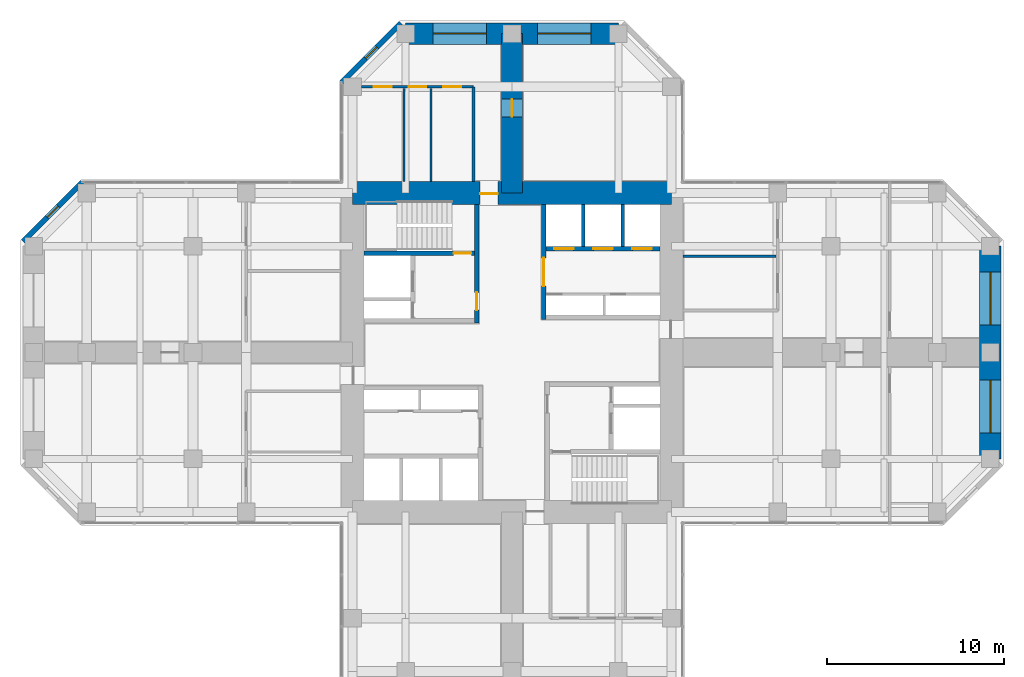
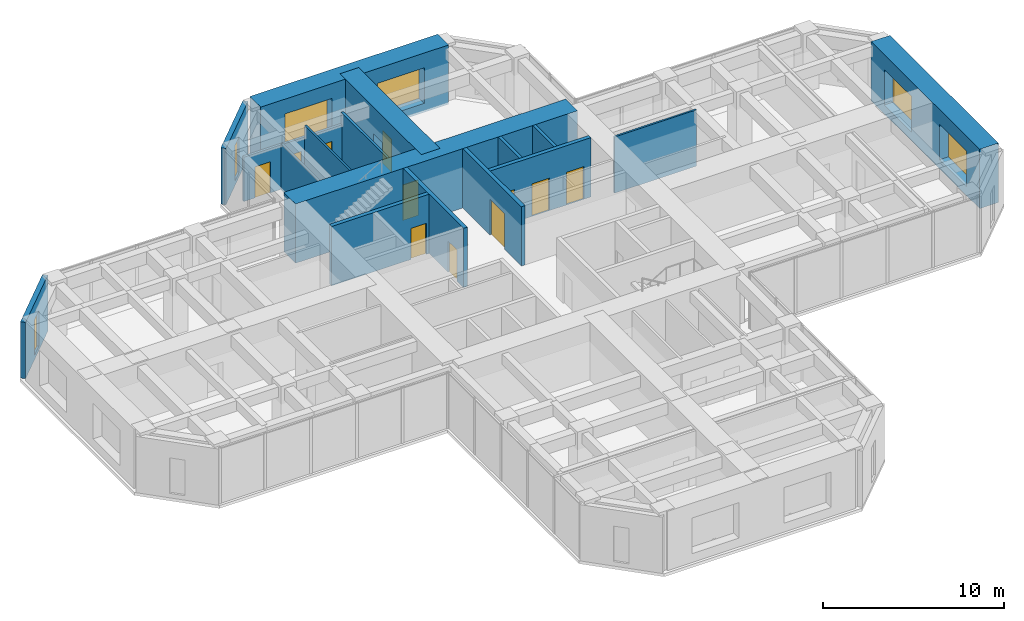
# One storey, part 10 of 12: 17 walls, 11 doors, 6 windows, 17 openings.
"""IFC4 building model written with IfcOpenShell, lengths in metres."""

import ifcopenshell
import ifcopenshell.guid

model = None  # the IFC model being written
_history = None  # IfcOwnerHistory: only IFC2X3 demands one
_inside = {}  # id of a spatial element -> (the spatial element, [elements in it])
_under = {}  # id of a project, library or spatial element -> (it, [spatial elements below it])
_declared = {}  # id of a project -> (the project, [libraries it declares])
_typed = {}  # id of a type object -> (the type object, [elements of that type])
_made_of = {}  # id of a material, layer set ... -> (it, [elements and type objects made of it])


def new_model(schema):
    """Start an empty IFC model of exactly this schema.

    Asked for "IFC4X3", IfcOpenShell would pick the latest addendum, in which some entities
    have other attributes; the version numbers below select the first issue.
    IFC2X3 requires an IfcOwnerHistory on every rooted entity: one is made here for all.
    """
    global model, _history
    if schema == "IFC4X3":
        model = ifcopenshell.file(schema_version=(4, 3, 0, 0))
    else:
        model = ifcopenshell.file(schema=schema)
    _inside.clear()
    _under.clear()
    _declared.clear()
    _typed.clear()
    _made_of.clear()
    _history = None
    if model.schema == "IFC2X3":
        org = make("IfcOrganization", Name="unknown")
        user = make(
            "IfcPersonAndOrganization",
            ThePerson=make("IfcPerson", FamilyName="unknown"),
            TheOrganization=org,
        )
        app = make(
            "IfcApplication",
            ApplicationDeveloper=org,
            Version="unknown",
            ApplicationFullName="unknown",
            ApplicationIdentifier="unknown",
        )
        _history = make(
            "IfcOwnerHistory",
            OwningUser=user,
            OwningApplication=app,
            ChangeAction="ADDED",
            CreationDate=0,
        )
    return model


def make(cls, **values):
    """One entity of the class cls with the attributes given. An attribute that is None is left unset."""
    return model.create_entity(
        cls, **{name: value for name, value in values.items() if value is not None}
    )


def rooted(cls, **values):
    """An entity with a GlobalId (a new one), such as an element, a storey or a relation."""
    return make(cls, GlobalId=ifcopenshell.guid.new(), OwnerHistory=_history, **values)


def si_unit(unit_type, name, prefix=None):
    """IfcSIUnit, for example si_unit("LENGTHUNIT", "METRE", prefix="MILLI")."""
    return make("IfcSIUnit", UnitType=unit_type, Prefix=prefix, Name=name)


def assignment(units):
    """IfcUnitAssignment: the units of a project."""
    return None if units is None else make("IfcUnitAssignment", Units=units)


def point(xyz):
    """IfcCartesianPoint."""
    return None if xyz is None else make("IfcCartesianPoint", Coordinates=xyz)


def direction(xyz):
    """IfcDirection."""
    return None if xyz is None else make("IfcDirection", DirectionRatios=xyz)


def frame(location, z_axis=None, x_axis=None):
    """IfcAxis2Placement3D, a coordinate frame: its origin and axes. An axis left out is left unset."""
    return make(
        "IfcAxis2Placement3D",
        Location=point(location),
        Axis=direction(z_axis),
        RefDirection=direction(x_axis),
    )


def frame_2d(location, x_axis=None):
    """IfcAxis2Placement2D, a coordinate frame in the plane: its origin and x axis."""
    return make(
        "IfcAxis2Placement2D", Location=point(location), RefDirection=direction(x_axis)
    )


def origin():
    """The frame at (0, 0, 0) with its axes left unset."""
    return frame((0.0, 0.0, 0.0))


def place(relative_to, where):
    """IfcLocalPlacement: puts the frame where relative to a parent placement (None: the world)."""
    return make(
        "IfcLocalPlacement", PlacementRelTo=relative_to, RelativePlacement=where
    )


def context(
    kind, dimensions, precision=None, world=None, true_north=None, identifier=None
):
    """IfcGeometricRepresentationContext, for example the 3D "Model" context."""
    return make(
        "IfcGeometricRepresentationContext",
        ContextIdentifier=identifier,
        ContextType=kind,
        CoordinateSpaceDimension=dimensions,
        Precision=precision,
        WorldCoordinateSystem=world,
        TrueNorth=true_north,
    )


def subcontext(parent, identifier, kind, view, scale=None):
    """IfcGeometricRepresentationSubContext, for example "Body" below "Model"."""
    return make(
        "IfcGeometricRepresentationSubContext",
        ContextIdentifier=identifier,
        ContextType=kind,
        ParentContext=parent,
        TargetScale=scale,
        TargetView=view,
    )


def project(units=None, contexts=None):
    """IfcProject with its units and contexts."""
    return rooted(
        "IfcProject",
        Name="project",
        RepresentationContexts=contexts,
        UnitsInContext=assignment(units),
    )


def spatial(cls, under=None, at=None, **own):
    """A site, building, storey or space (cls), placed at a placement, below another one or the project."""
    s = rooted(cls, ObjectPlacement=at, **own)
    if under is not None:
        _under.setdefault(under.id(), (under, []))[1].append(s)
    return s


def profile(cls, at=None, kind="AREA", **sizes):
    """A parametric profile (cls). Its sizes go by their IFC names, for example OverallWidth=200.0."""
    return make(cls, ProfileType=kind, Position=at, **sizes)


def rectangle(**sizes):
    """IfcRectangleProfileDef."""
    return profile("IfcRectangleProfileDef", **sizes)


def hollow_rectangle(**sizes):
    """IfcRectangleHollowProfileDef."""
    return profile("IfcRectangleHollowProfileDef", **sizes)


def extrude(swept, where, along, depth):
    """IfcExtrudedAreaSolid: the profile swept, set in the frame where, extruded along a direction by depth."""
    return make(
        "IfcExtrudedAreaSolid",
        SweptArea=swept,
        Position=where,
        ExtrudedDirection=direction(along),
        Depth=depth,
    )


def shape(context_of_items, identifier, shape_type, items):
    """IfcShapeRepresentation: the items that make up one representation, for example the "Body"."""
    return make(
        "IfcShapeRepresentation",
        ContextOfItems=context_of_items,
        RepresentationIdentifier=identifier,
        RepresentationType=shape_type,
        Items=items,
    )


def material(Name=None, Category=None):
    """IfcMaterial."""
    return make("IfcMaterial", Name=Name, Category=Category)


def layer(
    of_material, thickness, ventilated=None, Name=None, Category=None, Priority=None
):
    """IfcMaterialLayer: one layer of a wall or slab, of a material (None: an air gap)."""
    return make(
        "IfcMaterialLayer",
        Material=of_material,
        LayerThickness=thickness,
        IsVentilated=ventilated,
        Name=Name,
        Category=Category,
        Priority=Priority,
    )


def layer_set(layers, Name=None):
    """IfcMaterialLayerSet."""
    return make("IfcMaterialLayerSet", MaterialLayers=layers, LayerSetName=Name)


def constituent(of_material, Name=None, Category=None, fraction=None):
    """IfcMaterialConstituent: one of the materials an element consists of."""
    return make(
        "IfcMaterialConstituent",
        Name=Name,
        Material=of_material,
        Fraction=fraction,
        Category=Category,
    )


def constituent_set(constituents=None, Name=None):
    """IfcMaterialConstituentSet."""
    return make(
        "IfcMaterialConstituentSet", Name=Name, MaterialConstituents=constituents
    )


def made_of(thing, what):
    """Note that an element or type object is made of a material, layer set ...; save() writes the relation."""
    if what is not None:
        _made_of.setdefault(what.id(), (what, []))[1].append(thing)
    return thing


def type_object(cls, material=None, **own):
    """A type object (cls), such as IfcWallType, which elements share."""
    return made_of(rooted(cls, **own), material)


def element(
    cls,
    number,
    at=None,
    inside=None,
    cuts=None,
    type_object=None,
    material=None,
    context=None,
    identifier="Body",
    shape_type=None,
    held_by="IfcProductDefinitionShape",
    body=None,
    shapes=None,
    **own,
):
    """One element of the class cls, such as IfcWall. Its Tag is "e" and its number.

    at: its placement. inside: the storey or other place that contains it. cuts: it is an
    opening in that element (IfcRelVoidsElement). A single representation is given by context,
    identifier, shape_type and body (its items); several are given by shapes. held_by: the class
    of the entity that holds the representations. save() writes the other relations.
    """
    e = rooted(cls, Tag="e%d" % number, ObjectPlacement=at, **own)
    if body is not None:
        shapes = [shape(context, identifier, shape_type, body)]
    if shapes is not None:
        e.Representation = make(held_by, Representations=shapes)
    if inside is not None:
        _inside.setdefault(inside.id(), (inside, []))[1].append(e)
    if cuts is not None:
        rooted(
            "IfcRelVoidsElement", RelatingBuildingElement=cuts, RelatedOpeningElement=e
        )
    if type_object is not None:
        _typed.setdefault(type_object.id(), (type_object, []))[1].append(e)
    return made_of(e, material)


def fill(opening, filler):
    """IfcRelFillsElement: the door or window that sits in an opening."""
    return rooted(
        "IfcRelFillsElement",
        RelatingOpeningElement=opening,
        RelatedBuildingElement=filler,
    )


def aggregate(whole, parts):
    """IfcRelAggregates: a whole, such as a stair, and the parts it consists of."""
    return rooted("IfcRelAggregates", RelatingObject=whole, RelatedObjects=parts)


def save(model, path):
    """Write the relations noted so far, then the file.

    IfcRelAggregates (storeys below a building ...), IfcRelContainedInSpatialStructure (elements
    in a storey), IfcRelDefinesByType, IfcRelAssociatesMaterial and IfcRelDeclares: one each for
    every whole, place, type object, material and project.
    """
    for whole, parts in _under.values():
        aggregate(whole, parts)
    for where, things in _inside.values():
        rooted(
            "IfcRelContainedInSpatialStructure",
            RelatedElements=things,
            RelatingStructure=where,
        )
    for kind, things in _typed.values():
        rooted("IfcRelDefinesByType", RelatedObjects=things, RelatingType=kind)
    for what, things in _made_of.values():
        rooted("IfcRelAssociatesMaterial", RelatedObjects=things, RelatingMaterial=what)
    for by, libraries in _declared.values():
        rooted("IfcRelDeclares", RelatingContext=by, RelatedDefinitions=libraries)
    model.write(path)


model = new_model("IFC4")

# Units and contexts
model_context = context("Model", 3, precision=1e-05, world=origin(), true_north=direction((0.0, 1.0)))
body_context = subcontext(model_context, "Body", "Model", "MODEL_VIEW")
ifc_project = project(units=[si_unit("LENGTHUNIT", "METRE"), si_unit("AREAUNIT", "SQUARE_METRE"), si_unit("VOLUMEUNIT", "CUBIC_METRE"), si_unit("PLANEANGLEUNIT", "RADIAN"), si_unit("MASSUNIT", "GRAM", prefix="KILO")], contexts=[model_context])

# Site, building, storey
site_placement = place(None, origin())
site = spatial("IfcSite", under=ifc_project, at=site_placement, CompositionType="ELEMENT")
building_placement = place(site_placement, origin())
building = spatial("IfcBuilding", under=site, at=building_placement, Name="Torre Cruceta", CompositionType="ELEMENT")
storey_placement = place(building_placement, frame((0.0, 0.0, 144.5)))
storey = spatial("IfcBuildingStorey", under=building, at=storey_placement, Name="L35", CompositionType="ELEMENT", Elevation=144.5)

# Wall, opening, door
ifc_material_1 = material(Name="Concrete G60 (fck 60 MPa)", Category="concrete")
ifc_layer_1 = layer(ifc_material_1, 0.25)
ifc_layer_set_1 = layer_set([ifc_layer_1], Name="Concrete G60 (fck 60 MPa)")
wall_type_1 = type_object("IfcWallType", Name="CORE INNER WALL 250 G60", PredefinedType="SHEAR", material=ifc_layer_set_1)
wall_1_placement = place(storey_placement, frame((1.800048828125, 1.875, 0.0), z_axis=(0.0, 0.0, 1.0), x_axis=(0.0, 1.0, 0.0)))
wall_1 = element("IfcWall", 1, at=wall_1_placement, inside=storey, type_object=wall_type_1, Name="CW4 L35 NE-CU", PredefinedType="SHEAR", context=body_context, shape_type="SweptSolid", body=[
    extrude(rectangle(XDim=6.47509765625, YDim=0.25, at=frame_2d((3.237548828125, 0.0))), origin(), (0.0, 0.0, 1.0), 4.0),
])
opening_1_placement = place(wall_1_placement, frame((1.875, 0.0, 0.0)))
opening_1 = element("IfcOpeningElement", 2, at=opening_1_placement, cuts=wall_1, Name="Opening D8", PredefinedType="OPENING", context=body_context, shape_type="SweptSolid", body=[
    extrude(rectangle(XDim=1.60009765625, YDim=2.39990234375, at=frame_2d((0.800048828125, 1.199951171875))), frame((0.0, 0.135009765625, 0.0), z_axis=(0.0, -1.0, 0.0), x_axis=(1.0, 0.0, 0.0)), (0.0, 0.0, 1.0), 0.27001953125),
])
ifc_material_2 = material(Name="Steel DX51D", Category="steel")
ifc_constituent_1 = constituent(ifc_material_2, Name="Leaf and frame")
ifc_material_3 = material(Name="Polyester powder coating", Category="paint")
ifc_constituent_2 = constituent(ifc_material_3, Name="Finish")
ifc_material_4 = material(Name="Fire-resisting glass", Category="glass")
ifc_constituent_3 = constituent(ifc_material_4, Name="Vision panel")
ifc_constituent_set_1 = constituent_set(constituents=[ifc_constituent_1, ifc_constituent_2, ifc_constituent_3], Name="Steel fire door with vision panels")
door_type_1 = type_object("IfcDoorType", Name="LIFT LOBBY DOUBLE DOOR 1600X2400", OperationType="DOUBLE_DOOR_DOUBLE_SWING", PredefinedType="DOOR", material=ifc_constituent_set_1)
door_1_placement = place(opening_1_placement, origin())
door_1 = element("IfcDoor", 3, at=door_1_placement, inside=storey, type_object=door_type_1, Name="D8 L35 NE-LOBBY", OperationType="DOUBLE_DOOR_DOUBLE_SWING", OverallHeight=2.39990234375, OverallWidth=1.60009765625, PredefinedType="DOOR", context=body_context, shape_type="SweptSolid", body=[
    extrude(rectangle(XDim=1.60009765625, YDim=2.39990234375, at=frame_2d((0.800048828125, 1.199951171875))), frame((0.0, 0.02490234375, 0.0), z_axis=(0.0, -1.0, 0.0), x_axis=(1.0, 0.0, 0.0)), (0.0, 0.0, 1.0), 0.050048828125),
])
fill(opening_1, door_1)

# Wall, openings, doors
wall_2_placement = place(storey_placement, frame((1.925048828125, 5.85009765625, 0.0), z_axis=(0.0, 0.0, 1.0), x_axis=(1.0, 0.0, 0.0)))
wall_2 = element("IfcWall", 4, at=wall_2_placement, inside=storey, type_object=wall_type_1, Name="CW4 L35 NE-LV", PredefinedType="SHEAR", context=body_context, shape_type="SweptSolid", body=[
    extrude(rectangle(XDim=6.425048828125, YDim=0.25, at=frame_2d((3.21240234375, 0.0))), origin(), (0.0, 0.0, 1.0), 4.0),
])
opening_2_placement = place(wall_2_placement, frame((0.4541015625, 0.0, 0.0)))
opening_2 = element("IfcOpeningElement", 5, at=opening_2_placement, cuts=wall_2, Name="Opening LD1", PredefinedType="OPENING", context=body_context, shape_type="SweptSolid", body=[
    extrude(rectangle(XDim=1.10009765625, YDim=2.199951171875, at=frame_2d((0.550048828125, 1.10009765625))), frame((0.0, 0.135009765625, 0.0), z_axis=(0.0, -1.0, 0.0), x_axis=(1.0, 0.0, 0.0)), (0.0, 0.0, 1.0), 0.27001953125),
])
opening_3_placement = place(wall_2_placement, frame((2.66259765625, 0.0, 0.0)))
opening_3 = element("IfcOpeningElement", 6, at=opening_3_placement, cuts=wall_2, Name="Opening LD1", PredefinedType="OPENING", context=body_context, shape_type="SweptSolid", body=[
    extrude(rectangle(XDim=1.10009765625, YDim=2.199951171875, at=frame_2d((0.550048828125, 1.10009765625))), frame((0.0, 0.135009765625, 0.0), z_axis=(0.0, -1.0, 0.0), x_axis=(1.0, 0.0, 0.0)), (0.0, 0.0, 1.0), 0.27001953125),
])
opening_4_placement = place(wall_2_placement, frame((4.870849609375, 0.0, 0.0)))
opening_4 = element("IfcOpeningElement", 7, at=opening_4_placement, cuts=wall_2, Name="Opening LD1", PredefinedType="OPENING", context=body_context, shape_type="SweptSolid", body=[
    extrude(rectangle(XDim=1.10009765625, YDim=2.199951171875, at=frame_2d((0.550048828125, 1.10009765625))), frame((0.0, 0.135009765625, 0.0), z_axis=(0.0, -1.0, 0.0), x_axis=(1.0, 0.0, 0.0)), (0.0, 0.0, 1.0), 0.27001953125),
])
ifc_material_5 = material(Name="Stainless steel 1.4401", Category="steel")
door_type_2 = type_object("IfcDoorType", Name="LIFT LANDING DOOR 1100X2200", OperationType="DOUBLE_DOOR_SLIDING", PredefinedType="DOOR", material=ifc_material_5)
door_2_placement = place(opening_2_placement, origin())
door_2 = element("IfcDoor", 8, at=door_2_placement, inside=storey, type_object=door_type_2, Name="Lift landing door P1", OperationType="DOUBLE_DOOR_SLIDING", OverallHeight=2.199951171875, OverallWidth=1.10009765625, PredefinedType="DOOR", context=body_context, shape_type="SweptSolid", body=[
    extrude(rectangle(XDim=1.10009765625, YDim=2.199951171875, at=frame_2d((0.550048828125, 1.10009765625))), frame((0.0, 0.02490234375, 0.0), z_axis=(0.0, -1.0, 0.0), x_axis=(1.0, 0.0, 0.0)), (0.0, 0.0, 1.0), 0.050048828125),
])
fill(opening_2, door_2)
door_3_placement = place(opening_3_placement, origin())
door_3 = element("IfcDoor", 9, at=door_3_placement, inside=storey, type_object=door_type_2, Name="Lift landing door P2", OperationType="DOUBLE_DOOR_SLIDING", OverallHeight=2.199951171875, OverallWidth=1.10009765625, PredefinedType="DOOR", context=body_context, shape_type="SweptSolid", body=[
    extrude(rectangle(XDim=1.10009765625, YDim=2.199951171875, at=frame_2d((0.550048828125, 1.10009765625))), frame((0.0, 0.02490234375, 0.0), z_axis=(0.0, -1.0, 0.0), x_axis=(1.0, 0.0, 0.0)), (0.0, 0.0, 1.0), 0.050048828125),
])
fill(opening_3, door_3)
door_4_placement = place(opening_4_placement, origin())
door_4 = element("IfcDoor", 10, at=door_4_placement, inside=storey, type_object=door_type_2, Name="Lift landing door P3", OperationType="DOUBLE_DOOR_SLIDING", OverallHeight=2.199951171875, OverallWidth=1.10009765625, PredefinedType="DOOR", context=body_context, shape_type="SweptSolid", body=[
    extrude(rectangle(XDim=1.10009765625, YDim=2.199951171875, at=frame_2d((0.550048828125, 1.10009765625))), frame((0.0, 0.02490234375, 0.0), z_axis=(0.0, -1.0, 0.0), x_axis=(1.0, 0.0, 0.0)), (0.0, 0.0, 1.0), 0.050048828125),
])
fill(opening_4, door_4)

# Wall, opening, door
wall_3_placement = place(storey_placement, frame((-2.0, 1.675048828125, 0.0), z_axis=(0.0, 0.0, 1.0), x_axis=(0.0, 1.0, 0.0)))
wall_3 = element("IfcWall", 11, at=wall_3_placement, inside=storey, type_object=wall_type_1, Name="CW4 L35 NW-CU", PredefinedType="SHEAR", context=body_context, shape_type="SweptSolid", body=[
    extrude(rectangle(XDim=6.675048828125, YDim=0.25, at=frame_2d((3.33740234375, 0.0))), origin(), (0.0, 0.0, 1.0), 4.0),
])
opening_5_placement = place(wall_3_placement, frame((0.72509765625, 0.0, 0.0)))
opening_5 = element("IfcOpeningElement", 12, at=opening_5_placement, cuts=wall_3, Name="Opening D3", PredefinedType="OPENING", context=body_context, shape_type="SweptSolid", body=[
    extrude(rectangle(XDim=1.0, YDim=2.10009765625, at=frame_2d((0.5, 1.050048828125))), frame((0.0, 0.135009765625, 0.0), z_axis=(0.0, -1.0, 0.0), x_axis=(1.0, 0.0, 0.0)), (0.0, 0.0, 1.0), 0.27001953125),
])
ifc_material_6 = material(Name="Steel DX51D", Category="steel")
ifc_constituent_4 = constituent(ifc_material_6, Name="Leaf and frame")
ifc_material_7 = material(Name="Polyester powder coating", Category="paint")
ifc_constituent_5 = constituent(ifc_material_7, Name="Finish")
ifc_constituent_set_2 = constituent_set(constituents=[ifc_constituent_4, ifc_constituent_5], Name="Steel fire door")
door_type_3 = type_object("IfcDoorType", Name="FIRE DOOR 1000X2100", OperationType="SINGLE_SWING_LEFT", PredefinedType="DOOR", material=ifc_constituent_set_2)
door_5_placement = place(opening_5_placement, origin())
door_5 = element("IfcDoor", 13, at=door_5_placement, inside=storey, type_object=door_type_3, Name="D3 L35 NW-LOBBY", OperationType="SINGLE_SWING_LEFT", OverallHeight=2.10009765625, OverallWidth=1.0, PredefinedType="DOOR", context=body_context, shape_type="SweptSolid", body=[
    extrude(rectangle(XDim=1.0, YDim=2.10009765625, at=frame_2d((0.5, 1.050048828125))), frame((0.0, 0.02490234375, 0.0), z_axis=(0.0, -1.0, 0.0), x_axis=(1.0, 0.0, 0.0)), (0.0, 0.0, 1.0), 0.050048828125),
])
fill(opening_5, door_5)

wall_4_placement = place(storey_placement, frame((-2.125, 5.60009765625, 0.0), z_axis=(0.0, 0.0, 1.0), x_axis=(-1.0, 0.0, 0.0)))
wall_4 = element("IfcWall", 14, at=wall_4_placement, inside=storey, type_object=wall_type_1, Name="CW4 L35 NW-SV", PredefinedType="SHEAR", context=body_context, shape_type="SweptSolid", body=[
    extrude(rectangle(XDim=6.22509765625, YDim=0.25, at=frame_2d((3.112548828125, 0.0))), origin(), (0.0, 0.0, 1.0), 4.0),
])
opening_6_placement = place(wall_4_placement, frame((0.175048828125, 0.0, 0.0)))
opening_6 = element("IfcOpeningElement", 15, at=opening_6_placement, cuts=wall_4, Name="Opening D3", PredefinedType="OPENING", context=body_context, shape_type="SweptSolid", body=[
    extrude(rectangle(XDim=1.0, YDim=2.10009765625, at=frame_2d((0.5, 1.050048828125))), frame((0.0, 0.135009765625, 0.0), z_axis=(0.0, -1.0, 0.0), x_axis=(1.0, 0.0, 0.0)), (0.0, 0.0, 1.0), 0.27001953125),
])
door_6_placement = place(opening_6_placement, frame((1.0, 0.0, 0.0), z_axis=(0.0, 0.0, 1.0), x_axis=(-1.0, 0.0, 0.0)))
door_6 = element("IfcDoor", 16, at=door_6_placement, inside=storey, type_object=door_type_3, Name="D3 L35 NW-STAIR", OperationType="SINGLE_SWING_RIGHT", OverallHeight=2.10009765625, OverallWidth=1.0, PredefinedType="DOOR", context=body_context, shape_type="SweptSolid", body=[
    extrude(rectangle(XDim=1.0, YDim=2.10009765625, at=frame_2d((0.5, 1.050048828125))), frame((0.0, 0.025146484375, 0.0), z_axis=(0.0, -1.0, 0.0), x_axis=(1.0, 0.0, 0.0)), (0.0, 0.0, 1.0), 0.050048828125),
])
fill(opening_6, door_6)

ifc_material_8 = material(Name="Concrete G60 (fck 60 MPa)", Category="concrete")
ifc_layer_2 = layer(ifc_material_8, 1.300048828125)
ifc_layer_set_2 = layer_set([ifc_layer_2], Name="Concrete G60 (fck 60 MPa)")
wall_type_2 = type_object("IfcWallType", Name="CORE WALL 1300 G60", PredefinedType="SHEAR", material=ifc_layer_set_2)
wall_5_placement = place(storey_placement, frame((9.0, 9.0, 0.0), z_axis=(0.0, 0.0, 1.0), x_axis=(-1.0, 0.0, 0.0)))
wall_5 = element("IfcWall", 17, at=wall_5_placement, inside=storey, type_object=wall_type_2, Name="CW1 L35 CW-N", PredefinedType="SHEAR", context=body_context, shape_type="SweptSolid", body=[
    extrude(rectangle(XDim=18.0, YDim=1.300048828125, at=frame_2d((9.0, 0.0))), origin(), (0.0, 0.0, 1.0), 4.0),
])
opening_7_placement = place(wall_5_placement, frame((9.800048828125, 0.0, 0.0)))
opening_7 = element("IfcOpeningElement", 18, at=opening_7_placement, cuts=wall_5, Name="Opening D4", PredefinedType="OPENING", context=body_context, shape_type="SweptSolid", body=[
    extrude(rectangle(XDim=1.0, YDim=2.39990234375, at=frame_2d((0.5, 1.199951171875))), frame((0.0, 0.659912109375, 0.0), z_axis=(0.0, -1.0, 0.0), x_axis=(1.0, 0.0, 0.0)), (0.0, 0.0, 1.0), 1.320068359375),
])
ifc_material_9 = material(Name="Steel DX51D", Category="steel")
ifc_constituent_6 = constituent(ifc_material_9, Name="Leaf and frame")
ifc_material_10 = material(Name="Polyester powder coating", Category="paint")
ifc_constituent_7 = constituent(ifc_material_10, Name="Finish")
ifc_constituent_set_3 = constituent_set(constituents=[ifc_constituent_6, ifc_constituent_7], Name="Steel fire door")
door_type_4 = type_object("IfcDoorType", Name="CORE ARM DOOR 1000X2400", OperationType="SINGLE_SWING_RIGHT", PredefinedType="DOOR", material=ifc_constituent_set_3)
door_7_placement = place(opening_7_placement, frame((1.0, 0.0, 0.0), z_axis=(0.0, 0.0, 1.0), x_axis=(-1.0, 0.0, 0.0)))
door_7 = element("IfcDoor", 19, at=door_7_placement, inside=storey, type_object=door_type_4, Name="D4 L35 CW-N", OperationType="SINGLE_SWING_RIGHT", OverallHeight=2.39990234375, OverallWidth=1.0, PredefinedType="DOOR", context=body_context, shape_type="SweptSolid", body=[
    extrude(rectangle(XDim=1.0, YDim=2.39990234375, at=frame_2d((0.5, 1.199951171875))), frame((0.0, -0.005126953125, 0.0), z_axis=(0.0, -1.0, 0.0), x_axis=(1.0, 0.0, 0.0)), (0.0, 0.0, 1.0), 0.050048828125),
])
fill(opening_7, door_7)

# Wall, opening, window
ifc_material_11 = material(Name="Concrete G30 (fck 30 MPa)", Category="concrete")
ifc_layer_3 = layer(ifc_material_11, 0.300048828125)
ifc_layer_set_3 = layer_set([ifc_layer_3], Name="Concrete G30 (fck 30 MPa)")
wall_type_3 = type_object("IfcWallType", Name="EXPOSED CONCRETE FACADE WALL 300", PredefinedType="SOLIDWALL", material=ifc_layer_set_3)
wall_6_placement = place(storey_placement, frame((-6.27685546875, 18.60009765625, 0.0), z_axis=(0.0, 0.0, 1.0), x_axis=(-0.707106781187, -0.707106781187, 0.0)))
wall_6 = element("IfcWall", 20, at=wall_6_placement, inside=storey, type_object=wall_type_3, Name="EW1 facade wall L35 N chamfer 08", PredefinedType="SOLIDWALL", context=body_context, shape_type="SweptSolid", body=[
    extrude(rectangle(XDim=4.72802734375, YDim=0.300048828125, at=frame_2d((2.364013671875, 0.0))), origin(), (0.0, 0.0, 1.0), 3.800048828125),
])
opening_8_placement = place(wall_6_placement, frame((1.9140625, 0.0, 0.300048828125)))
opening_8 = element("IfcOpeningElement", 21, at=opening_8_placement, cuts=wall_6, Name="Opening WN5", PredefinedType="OPENING", context=body_context, shape_type="SweptSolid", body=[
    extrude(rectangle(XDim=0.89990234375, YDim=2.39990234375, at=frame_2d((0.449951171875, 1.199951171875))), frame((0.0, 0.159912109375, 0.0), z_axis=(0.0, -1.0, 0.0), x_axis=(1.0, 0.0, 0.0)), (0.0, 0.0, 1.0), 0.320068359375),
])
ifc_material_12 = material(Name="Aluminium window frame", Category="aluminium")
ifc_constituent_8 = constituent(ifc_material_12, Name="Frame")
ifc_material_13 = material(Name="Laminated insulating glass unit, low-iron clear", Category="glass")
ifc_constituent_9 = constituent(ifc_material_13, Name="Glazing")
ifc_constituent_set_4 = constituent_set(constituents=[ifc_constituent_8, ifc_constituent_9], Name="Aluminium window")
window_type_1 = type_object("IfcWindowType", Name="CHAMFER SLOT WINDOW 900X2400", PartitioningType="SINGLE_PANEL", PredefinedType="WINDOW", material=ifc_constituent_set_4)
window_1_placement = place(opening_8_placement, origin())
window_1 = element("IfcWindow", 22, at=window_1_placement, inside=storey, type_object=window_type_1, Name="WN5 L35 N 1", OverallHeight=2.39990234375, OverallWidth=0.89990234375, PartitioningType="SINGLE_PANEL", PredefinedType="WINDOW", context=body_context, shape_type="SweptSolid", body=[
    extrude(hollow_rectangle(XDim=0.89990234375, YDim=2.39990234375, WallThickness=0.06005859375, at=frame_2d((0.449951171875, 1.199951171875))), frame((0.0, 0.030029296875, 0.0), z_axis=(0.0, -1.0, 0.0), x_axis=(1.0, 0.0, 0.0)), (0.0, 0.0, 1.0), 0.06005859375),
    extrude(rectangle(XDim=0.77880859375, YDim=2.27880859375, at=frame_2d((0.449951171875, 1.199951171875))), frame((0.0, 0.030029296875, 0.0), z_axis=(0.0, -1.0, 0.0), x_axis=(1.0, 0.0, 0.0)), (0.0, 0.0, 1.0), 0.06005859375),
])
fill(opening_8, window_1)

wall_7_placement = place(storey_placement, frame((-24.2568359375, 9.6201171875, 0.0), z_axis=(0.0, 0.0, 1.0), x_axis=(-0.707106781187, -0.707106781187, 0.0)))
wall_7 = element("IfcWall", 23, at=wall_7_placement, inside=storey, type_object=wall_type_3, Name="EW1 facade wall L35 W chamfer 11", PredefinedType="SOLIDWALL", context=body_context, shape_type="SweptSolid", body=[
    extrude(rectangle(XDim=4.72802734375, YDim=0.300048828125, at=frame_2d((2.364013671875, 0.0))), origin(), (0.0, 0.0, 1.0), 3.800048828125),
])
opening_9_placement = place(wall_7_placement, frame((1.9140625, 0.0, 0.300048828125)))
opening_9 = element("IfcOpeningElement", 24, at=opening_9_placement, cuts=wall_7, Name="Opening WN5", PredefinedType="OPENING", context=body_context, shape_type="SweptSolid", body=[
    extrude(rectangle(XDim=0.89990234375, YDim=2.39990234375, at=frame_2d((0.449951171875, 1.199951171875))), frame((0.0, 0.159912109375, 0.0), z_axis=(0.0, -1.0, 0.0), x_axis=(1.0, 0.0, 0.0)), (0.0, 0.0, 1.0), 0.320068359375),
])
window_2_placement = place(opening_9_placement, origin())
window_2 = element("IfcWindow", 25, at=window_2_placement, inside=storey, type_object=window_type_1, Name="WN5 L35 W 1", OverallHeight=2.39990234375, OverallWidth=0.89990234375, PartitioningType="SINGLE_PANEL", PredefinedType="WINDOW", context=body_context, shape_type="SweptSolid", body=[
    extrude(hollow_rectangle(XDim=0.89990234375, YDim=2.39990234375, WallThickness=0.06005859375, at=frame_2d((0.449951171875, 1.199951171875))), frame((0.0, 0.030029296875, 0.0), z_axis=(0.0, -1.0, 0.0), x_axis=(1.0, 0.0, 0.0)), (0.0, 0.0, 1.0), 0.06005859375),
    extrude(rectangle(XDim=0.77880859375, YDim=2.27880859375, at=frame_2d((0.449951171875, 1.199951171875))), frame((0.0, 0.030029296875, 0.0), z_axis=(0.0, -1.0, 0.0), x_axis=(1.0, 0.0, 0.0)), (0.0, 0.0, 1.0), 0.06005859375),
])
fill(opening_9, window_2)

# Walls
ifc_material_14 = material(Name="Concrete G35 (fck 35 MPa)", Category="concrete")
ifc_layer_4 = layer(ifc_material_14, 0.199951171875)
ifc_layer_set_4 = layer_set([ifc_layer_4], Name="Concrete G35 (fck 35 MPa)")
wall_type_4 = type_object("IfcWallType", Name="LIFT SHAFT WALL 200", PredefinedType="PARTITIONING", material=ifc_layer_set_4)
for number, where, z_axis, x_axis, name in (
    (26, (4.033447265625, 5.97509765625, 0.0), (0.0, 0.0, 1.0), (0.0, 1.0, 0.0), "SW1 L35 NE-LS1"),
    (27, (6.24169921875, 5.97509765625, 0.0), (0.0, 0.0, 1.0), (0.0, 1.0, 0.0), "SW1 L35 NE-LS2"),
):
    element("IfcWall", number, at=place(storey_placement, frame(where, z_axis=z_axis, x_axis=x_axis)), inside=storey, type_object=wall_type_4, Name=name, PredefinedType="PARTITIONING", context=body_context, shape_type="SweptSolid", body=[
        extrude(rectangle(XDim=2.375, YDim=0.199951171875, at=frame_2d((1.1875, 0.0))), origin(), (0.0, 0.0, 1.0), 4.0),
    ])

# Wall, openings, windows
ifc_material_15 = material(Name="Concrete G60 (fck 60 MPa)", Category="concrete")
ifc_layer_5 = layer(ifc_material_15, 1.199951171875)
ifc_layer_set_5 = layer_set([ifc_layer_5], Name="Concrete G60 (fck 60 MPa)")
wall_type_5 = type_object("IfcWallType", Name="NOSE WALL 1200 G60", PredefinedType="SHEAR", material=ifc_layer_set_5)
wall_8_placement = place(storey_placement, frame((6.0, 18.0, 0.0), z_axis=(0.0, 0.0, 1.0), x_axis=(-1.0, 0.0, 0.0)))
wall_8 = element("IfcWall", 28, at=wall_8_placement, inside=storey, type_object=wall_type_5, Name="NW1 nose wall L35 N", PredefinedType="SHEAR", context=body_context, shape_type="SweptSolid", body=[
    extrude(rectangle(XDim=12.0, YDim=1.199951171875, at=frame_2d((6.0, 0.0))), origin(), (0.0, 0.0, 1.0), 4.0),
])
opening_10_placement = place(wall_8_placement, frame((1.550048828125, 0.0, 0.60009765625)))
opening_10 = element("IfcOpeningElement", 29, at=opening_10_placement, cuts=wall_8, Name="Opening WN6", PredefinedType="OPENING", context=body_context, shape_type="SweptSolid", body=[
    extrude(rectangle(XDim=3.0, YDim=2.39990234375, at=frame_2d((1.5, 1.199951171875))), frame((0.0, 0.60986328125, 0.0), z_axis=(0.0, -1.0, 0.0), x_axis=(1.0, 0.0, 0.0)), (0.0, 0.0, 1.0), 1.219970703125),
])
opening_11_placement = place(wall_8_placement, frame((7.449951171875, 0.0, 0.60009765625)))
opening_11 = element("IfcOpeningElement", 30, at=opening_11_placement, cuts=wall_8, Name="Opening WN6", PredefinedType="OPENING", context=body_context, shape_type="SweptSolid", body=[
    extrude(rectangle(XDim=3.0, YDim=2.39990234375, at=frame_2d((1.5, 1.199951171875))), frame((0.0, 0.60986328125, 0.0), z_axis=(0.0, -1.0, 0.0), x_axis=(1.0, 0.0, 0.0)), (0.0, 0.0, 1.0), 1.219970703125),
])
ifc_material_16 = material(Name="Aluminium window frame", Category="aluminium")
ifc_constituent_10 = constituent(ifc_material_16, Name="Frame")
ifc_material_17 = material(Name="Laminated insulating glass unit, low-iron clear", Category="glass")
ifc_constituent_11 = constituent(ifc_material_17, Name="Glazing")
ifc_constituent_set_5 = constituent_set(constituents=[ifc_constituent_10, ifc_constituent_11], Name="Aluminium window")
window_type_2 = type_object("IfcWindowType", Name="NOSE WALL WINDOW 3000X2400", PartitioningType="SINGLE_PANEL", PredefinedType="WINDOW", material=ifc_constituent_set_5)
window_3_placement = place(opening_10_placement, origin())
window_3 = element("IfcWindow", 31, at=window_3_placement, inside=storey, type_object=window_type_2, Name="WN6 L35 N 1", OverallHeight=2.39990234375, OverallWidth=3.0, PartitioningType="SINGLE_PANEL", PredefinedType="WINDOW", context=body_context, shape_type="SweptSolid", body=[
    extrude(hollow_rectangle(XDim=3.0, YDim=2.39990234375, WallThickness=0.06005859375, at=frame_2d((1.5, 1.199951171875))), frame((0.0, 0.030029296875, 0.0), z_axis=(0.0, -1.0, 0.0), x_axis=(1.0, 0.0, 0.0)), (0.0, 0.0, 1.0), 0.06005859375),
    extrude(rectangle(XDim=2.87890625, YDim=2.27880859375, at=frame_2d((1.5, 1.199951171875))), frame((0.0, 0.030029296875, 0.0), z_axis=(0.0, -1.0, 0.0), x_axis=(1.0, 0.0, 0.0)), (0.0, 0.0, 1.0), 0.06005859375),
])
fill(opening_10, window_3)
window_4_placement = place(opening_11_placement, origin())
window_4 = element("IfcWindow", 32, at=window_4_placement, inside=storey, type_object=window_type_2, Name="WN6 L35 N 2", OverallHeight=2.39990234375, OverallWidth=3.0, PartitioningType="SINGLE_PANEL", PredefinedType="WINDOW", context=body_context, shape_type="SweptSolid", body=[
    extrude(hollow_rectangle(XDim=3.0, YDim=2.39990234375, WallThickness=0.06005859375, at=frame_2d((1.5, 1.199951171875))), frame((0.0, 0.030029296875, 0.0), z_axis=(0.0, -1.0, 0.0), x_axis=(1.0, 0.0, 0.0)), (0.0, 0.0, 1.0), 0.06005859375),
    extrude(rectangle(XDim=2.87890625, YDim=2.27880859375, at=frame_2d((1.5, 1.199951171875))), frame((0.0, 0.030029296875, 0.0), z_axis=(0.0, -1.0, 0.0), x_axis=(1.0, 0.0, 0.0)), (0.0, 0.0, 1.0), 0.06005859375),
])
fill(opening_11, window_4)

wall_9_placement = place(storey_placement, frame((27.0, -6.0, 0.0), z_axis=(0.0, 0.0, 1.0), x_axis=(0.0, 1.0, 0.0)))
wall_9 = element("IfcWall", 33, at=wall_9_placement, inside=storey, type_object=wall_type_5, Name="NW1 nose wall L35 E", PredefinedType="SHEAR", context=body_context, shape_type="SweptSolid", body=[
    extrude(rectangle(XDim=12.0, YDim=1.199951171875, at=frame_2d((6.0, 0.0))), origin(), (0.0, 0.0, 1.0), 4.0),
])
opening_12_placement = place(wall_9_placement, frame((1.449951171875, 0.0, 0.60009765625)))
opening_12 = element("IfcOpeningElement", 34, at=opening_12_placement, cuts=wall_9, Name="Opening WN6", PredefinedType="OPENING", context=body_context, shape_type="SweptSolid", body=[
    extrude(rectangle(XDim=3.0, YDim=2.39990234375, at=frame_2d((1.5, 1.199951171875))), frame((0.0, 0.60986328125, 0.0), z_axis=(0.0, -1.0, 0.0), x_axis=(1.0, 0.0, 0.0)), (0.0, 0.0, 1.0), 1.219970703125),
])
opening_13_placement = place(wall_9_placement, frame((7.550048828125, 0.0, 0.60009765625)))
opening_13 = element("IfcOpeningElement", 35, at=opening_13_placement, cuts=wall_9, Name="Opening WN6", PredefinedType="OPENING", context=body_context, shape_type="SweptSolid", body=[
    extrude(rectangle(XDim=3.0, YDim=2.39990234375, at=frame_2d((1.5, 1.199951171875))), frame((0.0, 0.60986328125, 0.0), z_axis=(0.0, -1.0, 0.0), x_axis=(1.0, 0.0, 0.0)), (0.0, 0.0, 1.0), 1.219970703125),
])
window_5_placement = place(opening_12_placement, origin())
window_5 = element("IfcWindow", 36, at=window_5_placement, inside=storey, type_object=window_type_2, Name="WN6 L35 E 1", OverallHeight=2.39990234375, OverallWidth=3.0, PartitioningType="SINGLE_PANEL", PredefinedType="WINDOW", context=body_context, shape_type="SweptSolid", body=[
    extrude(hollow_rectangle(XDim=3.0, YDim=2.39990234375, WallThickness=0.06005859375, at=frame_2d((1.5, 1.199951171875))), frame((0.0, 0.030029296875, 0.0), z_axis=(0.0, -1.0, 0.0), x_axis=(1.0, 0.0, 0.0)), (0.0, 0.0, 1.0), 0.06005859375),
    extrude(rectangle(XDim=2.87890625, YDim=2.27880859375, at=frame_2d((1.5, 1.199951171875))), frame((0.0, 0.030029296875, 0.0), z_axis=(0.0, -1.0, 0.0), x_axis=(1.0, 0.0, 0.0)), (0.0, 0.0, 1.0), 0.06005859375),
])
fill(opening_12, window_5)
window_6_placement = place(opening_13_placement, origin())
window_6 = element("IfcWindow", 37, at=window_6_placement, inside=storey, type_object=window_type_2, Name="WN6 L35 E 2", OverallHeight=2.39990234375, OverallWidth=3.0, PartitioningType="SINGLE_PANEL", PredefinedType="WINDOW", context=body_context, shape_type="SweptSolid", body=[
    extrude(hollow_rectangle(XDim=3.0, YDim=2.39990234375, WallThickness=0.06005859375, at=frame_2d((1.5, 1.199951171875))), frame((0.0, 0.030029296875, 0.0), z_axis=(0.0, -1.0, 0.0), x_axis=(1.0, 0.0, 0.0)), (0.0, 0.0, 1.0), 0.06005859375),
    extrude(rectangle(XDim=2.87890625, YDim=2.27880859375, at=frame_2d((1.5, 1.199951171875))), frame((0.0, 0.030029296875, 0.0), z_axis=(0.0, -1.0, 0.0), x_axis=(1.0, 0.0, 0.0)), (0.0, 0.0, 1.0), 0.06005859375),
])
fill(opening_13, window_6)

# Wall, openings, doors
ifc_material_18 = material(Name="Plasterboard on steel studs", Category="steel")
ifc_layer_6 = layer(ifc_material_18, 0.14990234375)
ifc_layer_set_6 = layer_set([ifc_layer_6], Name="Plasterboard on steel studs")
wall_type_6 = type_object("IfcWallType", Name="PARTITION 150", PredefinedType="PARTITIONING", material=ifc_layer_set_6)
wall_10_placement = place(storey_placement, frame((-2.175048828125, 15.0, 0.0), z_axis=(0.0, 0.0, 1.0), x_axis=(-1.0, 0.0, 0.0)))
wall_10 = element("IfcWall", 38, at=wall_10_placement, inside=storey, type_object=wall_type_6, Name="PT1 L35-N-BFL", PredefinedType="PARTITIONING", context=body_context, shape_type="SweptSolid", body=[
    extrude(rectangle(XDim=6.324951171875, YDim=0.14990234375, at=frame_2d((3.16259765625, 0.0))), origin(), (0.0, 0.0, 1.0), 3.0),
])
opening_14_placement = place(wall_10_placement, frame((0.699951171875, 0.0, 0.0)))
opening_14 = element("IfcOpeningElement", 39, at=opening_14_placement, cuts=wall_10, Name="Opening D3", PredefinedType="OPENING", context=body_context, shape_type="SweptSolid", body=[
    extrude(rectangle(XDim=1.0, YDim=2.10009765625, at=frame_2d((0.5, 1.050048828125))), frame((0.0, 0.0849609375, 0.0), z_axis=(0.0, -1.0, 0.0), x_axis=(1.0, 0.0, 0.0)), (0.0, 0.0, 1.0), 0.169921875),
])
opening_15_placement = place(wall_10_placement, frame((2.66259765625, 0.0, 0.0)))
opening_15 = element("IfcOpeningElement", 40, at=opening_15_placement, cuts=wall_10, Name="Opening D3", PredefinedType="OPENING", context=body_context, shape_type="SweptSolid", body=[
    extrude(rectangle(XDim=1.0, YDim=2.10009765625, at=frame_2d((0.5, 1.050048828125))), frame((0.0, 0.0849609375, 0.0), z_axis=(0.0, -1.0, 0.0), x_axis=(1.0, 0.0, 0.0)), (0.0, 0.0, 1.0), 0.169921875),
])
opening_16_placement = place(wall_10_placement, frame((4.625, 0.0, 0.0)))
opening_16 = element("IfcOpeningElement", 41, at=opening_16_placement, cuts=wall_10, Name="Opening D3", PredefinedType="OPENING", context=body_context, shape_type="SweptSolid", body=[
    extrude(rectangle(XDim=1.0, YDim=2.10009765625, at=frame_2d((0.5, 1.050048828125))), frame((0.0, 0.0849609375, 0.0), z_axis=(0.0, -1.0, 0.0), x_axis=(1.0, 0.0, 0.0)), (0.0, 0.0, 1.0), 0.169921875),
])
door_8_placement = place(opening_14_placement, origin())
door_8 = element("IfcDoor", 42, at=door_8_placement, inside=storey, type_object=door_type_3, Name="D3 L35-N-BFL-D1", OperationType="SINGLE_SWING_LEFT", OverallHeight=2.10009765625, OverallWidth=1.0, PredefinedType="DOOR", context=body_context, shape_type="SweptSolid", body=[
    extrude(rectangle(XDim=1.0, YDim=2.10009765625, at=frame_2d((0.5, 1.050048828125))), frame((0.0, 0.02490234375, 0.0), z_axis=(0.0, -1.0, 0.0), x_axis=(1.0, 0.0, 0.0)), (0.0, 0.0, 1.0), 0.050048828125),
])
fill(opening_14, door_8)
door_9_placement = place(opening_15_placement, origin())
door_9 = element("IfcDoor", 43, at=door_9_placement, inside=storey, type_object=door_type_3, Name="D3 L35-N-BFL-D2", OperationType="SINGLE_SWING_LEFT", OverallHeight=2.10009765625, OverallWidth=1.0, PredefinedType="DOOR", context=body_context, shape_type="SweptSolid", body=[
    extrude(rectangle(XDim=1.0, YDim=2.10009765625, at=frame_2d((0.5, 1.050048828125))), frame((0.0, 0.02490234375, 0.0), z_axis=(0.0, -1.0, 0.0), x_axis=(1.0, 0.0, 0.0)), (0.0, 0.0, 1.0), 0.050048828125),
])
fill(opening_15, door_9)
door_10_placement = place(opening_16_placement, origin())
door_10 = element("IfcDoor", 44, at=door_10_placement, inside=storey, type_object=door_type_3, Name="D3 L35-N-BFL-D3", OperationType="SINGLE_SWING_LEFT", OverallHeight=2.10009765625, OverallWidth=1.0, PredefinedType="DOOR", context=body_context, shape_type="SweptSolid", body=[
    extrude(rectangle(XDim=1.0, YDim=2.10009765625, at=frame_2d((0.5, 1.050048828125))), frame((0.0, 0.02490234375, 0.0), z_axis=(0.0, -1.0, 0.0), x_axis=(1.0, 0.0, 0.0)), (0.0, 0.0, 1.0), 0.050048828125),
])
fill(opening_16, door_10)

# Wall
wall_11_placement = place(storey_placement, frame((-2.175048828125, 9.64990234375, 0.0), z_axis=(0.0, 0.0, 1.0), x_axis=(0.0, 1.0, 0.0)))
element("IfcWall", 45, at=wall_11_placement, inside=storey, type_object=wall_type_6, Name="PT1 L35-N-BSL", PredefinedType="PARTITIONING", context=body_context, shape_type="SweptSolid", body=[
    extrude(rectangle(XDim=5.35009765625, YDim=0.14990234375, at=frame_2d((2.675048828125, 0.0))), origin(), (0.0, 0.0, 1.0), 3.800048828125),
])

# Wall, opening, door
ifc_material_19 = material(Name="Concrete G60 (fck 60 MPa)", Category="concrete")
ifc_layer_7 = layer(ifc_material_19, 1.199951171875)
ifc_layer_set_7 = layer_set([ifc_layer_7], Name="Concrete G60 (fck 60 MPa)")
wall_type_7 = type_object("IfcWallType", Name="SPINE WALL 1200 G60", PredefinedType="SHEAR", material=ifc_layer_set_7)
wall_12_placement = place(storey_placement, frame((0.0, 9.0, 0.0), z_axis=(0.0, 0.0, 1.0), x_axis=(0.0, 1.0, 0.0)))
wall_12 = element("IfcWall", 46, at=wall_12_placement, inside=storey, type_object=wall_type_7, Name="SW3 spine wall L35 N", PredefinedType="SHEAR", context=body_context, shape_type="SweptSolid", body=[
    extrude(rectangle(XDim=9.0, YDim=1.199951171875, at=frame_2d((4.5, 0.0))), origin(), (0.0, 0.0, 1.0), 4.0),
])
opening_17_placement = place(wall_12_placement, frame((4.300048828125, 0.0, 0.0)))
opening_17 = element("IfcOpeningElement", 47, at=opening_17_placement, cuts=wall_12, Name="Opening D14", PredefinedType="OPENING", context=body_context, shape_type="SweptSolid", body=[
    extrude(rectangle(XDim=1.0, YDim=2.199951171875, at=frame_2d((0.5, 1.10009765625))), frame((0.0, 0.60986328125, 0.0), z_axis=(0.0, -1.0, 0.0), x_axis=(1.0, 0.0, 0.0)), (0.0, 0.0, 1.0), 1.219970703125),
])
ifc_material_20 = material(Name="Steel DX51D", Category="steel")
ifc_constituent_12 = constituent(ifc_material_20, Name="Leaf and frame")
ifc_material_21 = material(Name="Polyester powder coating", Category="paint")
ifc_constituent_13 = constituent(ifc_material_21, Name="Finish")
ifc_material_22 = material(Name="Fire-resisting glass", Category="glass")
ifc_constituent_14 = constituent(ifc_material_22, Name="Vision panel")
ifc_constituent_set_6 = constituent_set(constituents=[ifc_constituent_12, ifc_constituent_13, ifc_constituent_14], Name="Steel fire door with vision panel")
door_type_5 = type_object("IfcDoorType", Name="FIRE DOOR VISION PANEL 1000X2200", OperationType="SINGLE_SWING_RIGHT", PredefinedType="DOOR", material=ifc_constituent_set_6)
door_11_placement = place(opening_17_placement, origin())
door_11 = element("IfcDoor", 48, at=door_11_placement, inside=storey, type_object=door_type_5, Name="D14 L35-N-SP1", OperationType="SINGLE_SWING_RIGHT", OverallHeight=2.199951171875, OverallWidth=1.0, PredefinedType="DOOR", context=body_context, shape_type="SweptSolid", body=[
    extrude(rectangle(XDim=1.0, YDim=2.199951171875, at=frame_2d((0.5, 1.10009765625))), frame((0.0, 0.02490234375, 0.0), z_axis=(0.0, -1.0, 0.0), x_axis=(1.0, 0.0, 0.0)), (0.0, 0.0, 1.0), 0.050048828125),
])
fill(opening_17, door_11)

# Walls
ifc_material_23 = material(Name="Plasterboard on steel studs", Category="steel")
ifc_layer_8 = layer(ifc_material_23, 0.1201171875)
ifc_layer_set_8 = layer_set([ifc_layer_8], Name="Plasterboard on steel studs")
wall_type_8 = type_object("IfcWallType", Name="WC PARTITION 120", PredefinedType="PLUMBINGWALL", material=ifc_layer_set_8)
wall_13_placement = place(storey_placement, frame((-4.574951171875, 9.64990234375, 0.0), z_axis=(0.0, 0.0, 1.0), x_axis=(0.0, 1.0, 0.0)))
element("IfcWall", 49, at=wall_13_placement, inside=storey, type_object=wall_type_8, Name="PT5 L35-N-BDL1", PredefinedType="PLUMBINGWALL", context=body_context, shape_type="SweptSolid", body=[
    extrude(rectangle(XDim=5.25, YDim=0.1201171875, at=frame_2d((2.625, 0.0))), origin(), (0.0, 0.0, 1.0), 3.800048828125),
])
wall_14_placement = place(storey_placement, frame((-6.10009765625, 9.64990234375, 0.0), z_axis=(0.0, 0.0, 1.0), x_axis=(0.0, 1.0, 0.0)))
element("IfcWall", 50, at=wall_14_placement, inside=storey, type_object=wall_type_8, Name="PT5 L35-N-BDL2", PredefinedType="PLUMBINGWALL", context=body_context, shape_type="SweptSolid", body=[
    extrude(rectangle(XDim=5.25, YDim=0.1201171875, at=frame_2d((2.625, 0.0))), origin(), (0.0, 0.0, 1.0), 3.10009765625),
])
wall_15_placement = place(storey_placement, frame((9.64990234375, 5.4375, 0.0), z_axis=(0.0, 0.0, 1.0), x_axis=(1.0, 0.0, 0.0)))
element("IfcWall", 51, at=wall_15_placement, inside=storey, type_object=wall_type_8, Name="PT5 L35-E-BDL1", PredefinedType="PLUMBINGWALL", context=body_context, shape_type="SweptSolid", body=[
    extrude(rectangle(XDim=5.25, YDim=0.1201171875, at=frame_2d((2.625, 0.0))), origin(), (0.0, 0.0, 1.0), 3.800048828125),
])

save(model, "model.ifc")
